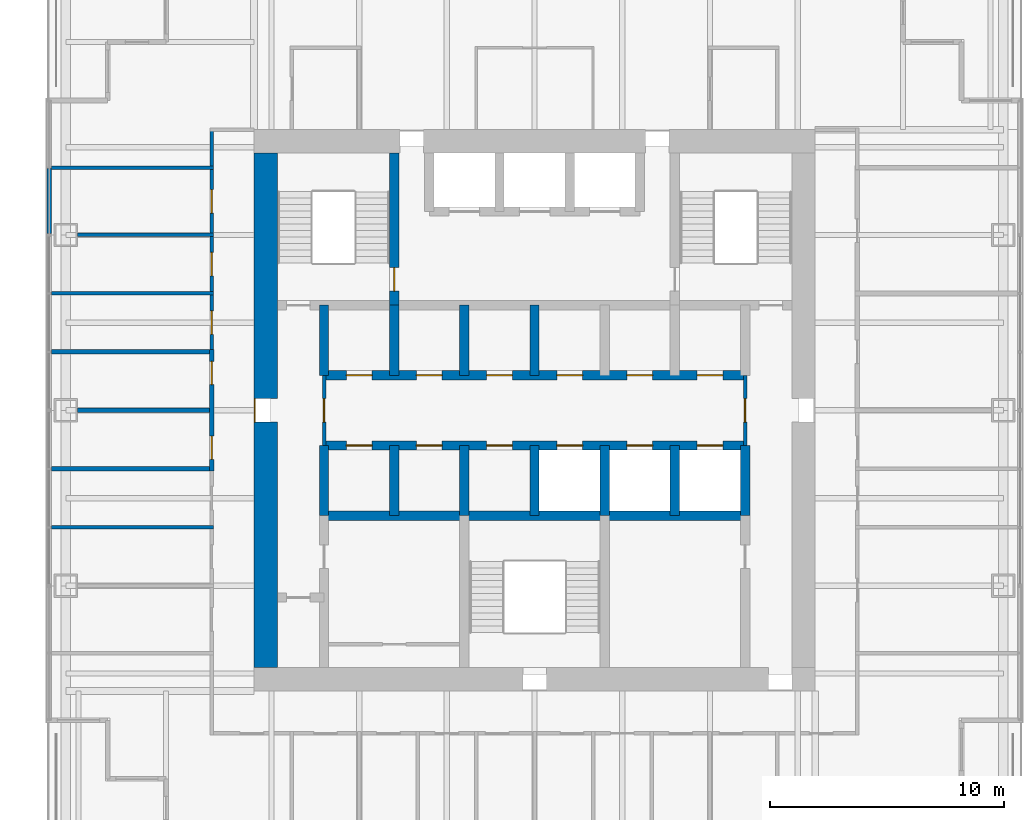
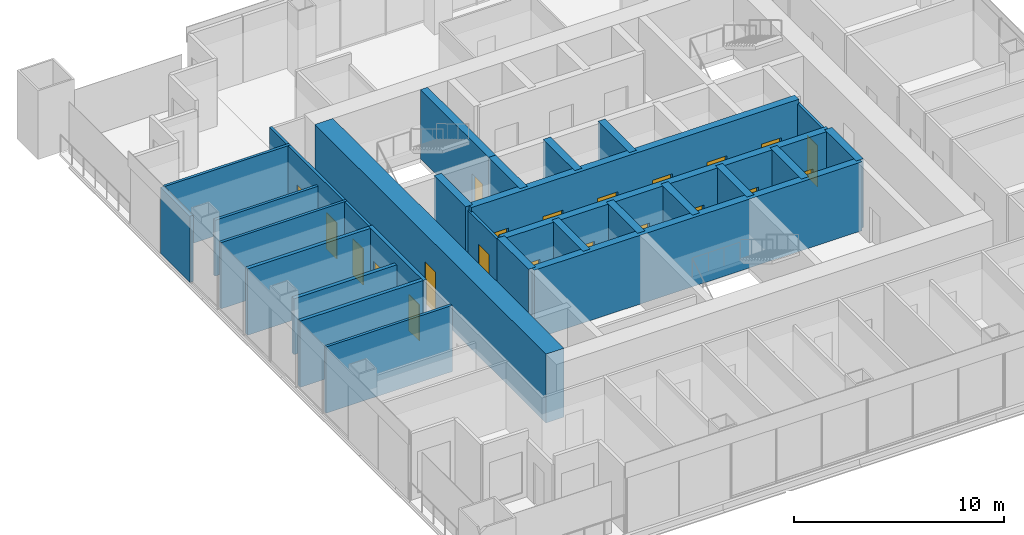
# One storey, part 10 of 14: 28 walls, 21 doors, 21 openings.
"""IFC4 building model written with IfcOpenShell, lengths in metres."""

import ifcopenshell
import ifcopenshell.guid

model = None  # the IFC model being written
_history = None  # IfcOwnerHistory: only IFC2X3 demands one
_inside = {}  # id of a spatial element -> (the spatial element, [elements in it])
_under = {}  # id of a project, library or spatial element -> (it, [spatial elements below it])
_declared = {}  # id of a project -> (the project, [libraries it declares])
_typed = {}  # id of a type object -> (the type object, [elements of that type])
_made_of = {}  # id of a material, layer set ... -> (it, [elements and type objects made of it])


def new_model(schema):
    """Start an empty IFC model of exactly this schema.

    Asked for "IFC4X3", IfcOpenShell would pick the latest addendum, in which some entities
    have other attributes; the version numbers below select the first issue.
    IFC2X3 requires an IfcOwnerHistory on every rooted entity: one is made here for all.
    """
    global model, _history
    if schema == "IFC4X3":
        model = ifcopenshell.file(schema_version=(4, 3, 0, 0))
    else:
        model = ifcopenshell.file(schema=schema)
    _inside.clear()
    _under.clear()
    _declared.clear()
    _typed.clear()
    _made_of.clear()
    _history = None
    if model.schema == "IFC2X3":
        org = make("IfcOrganization", Name="unknown")
        user = make(
            "IfcPersonAndOrganization",
            ThePerson=make("IfcPerson", FamilyName="unknown"),
            TheOrganization=org,
        )
        app = make(
            "IfcApplication",
            ApplicationDeveloper=org,
            Version="unknown",
            ApplicationFullName="unknown",
            ApplicationIdentifier="unknown",
        )
        _history = make(
            "IfcOwnerHistory",
            OwningUser=user,
            OwningApplication=app,
            ChangeAction="ADDED",
            CreationDate=0,
        )
    return model


def make(cls, **values):
    """One entity of the class cls with the attributes given. An attribute that is None is left unset."""
    return model.create_entity(
        cls, **{name: value for name, value in values.items() if value is not None}
    )


def rooted(cls, **values):
    """An entity with a GlobalId (a new one), such as an element, a storey or a relation."""
    return make(cls, GlobalId=ifcopenshell.guid.new(), OwnerHistory=_history, **values)


def si_unit(unit_type, name, prefix=None):
    """IfcSIUnit, for example si_unit("LENGTHUNIT", "METRE", prefix="MILLI")."""
    return make("IfcSIUnit", UnitType=unit_type, Prefix=prefix, Name=name)


def assignment(units):
    """IfcUnitAssignment: the units of a project."""
    return None if units is None else make("IfcUnitAssignment", Units=units)


def point(xyz):
    """IfcCartesianPoint."""
    return None if xyz is None else make("IfcCartesianPoint", Coordinates=xyz)


def direction(xyz):
    """IfcDirection."""
    return None if xyz is None else make("IfcDirection", DirectionRatios=xyz)


def frame(location, z_axis=None, x_axis=None):
    """IfcAxis2Placement3D, a coordinate frame: its origin and axes. An axis left out is left unset."""
    return make(
        "IfcAxis2Placement3D",
        Location=point(location),
        Axis=direction(z_axis),
        RefDirection=direction(x_axis),
    )


def frame_2d(location, x_axis=None):
    """IfcAxis2Placement2D, a coordinate frame in the plane: its origin and x axis."""
    return make(
        "IfcAxis2Placement2D", Location=point(location), RefDirection=direction(x_axis)
    )


def origin():
    """The frame at (0, 0, 0) with its axes left unset."""
    return frame((0.0, 0.0, 0.0))


def place(relative_to, where):
    """IfcLocalPlacement: puts the frame where relative to a parent placement (None: the world)."""
    return make(
        "IfcLocalPlacement", PlacementRelTo=relative_to, RelativePlacement=where
    )


def context(
    kind, dimensions, precision=None, world=None, true_north=None, identifier=None
):
    """IfcGeometricRepresentationContext, for example the 3D "Model" context."""
    return make(
        "IfcGeometricRepresentationContext",
        ContextIdentifier=identifier,
        ContextType=kind,
        CoordinateSpaceDimension=dimensions,
        Precision=precision,
        WorldCoordinateSystem=world,
        TrueNorth=true_north,
    )


def subcontext(parent, identifier, kind, view, scale=None):
    """IfcGeometricRepresentationSubContext, for example "Body" below "Model"."""
    return make(
        "IfcGeometricRepresentationSubContext",
        ContextIdentifier=identifier,
        ContextType=kind,
        ParentContext=parent,
        TargetScale=scale,
        TargetView=view,
    )


def project(units=None, contexts=None):
    """IfcProject with its units and contexts."""
    return rooted(
        "IfcProject",
        Name="project",
        RepresentationContexts=contexts,
        UnitsInContext=assignment(units),
    )


def spatial(cls, under=None, at=None, **own):
    """A site, building, storey or space (cls), placed at a placement, below another one or the project."""
    s = rooted(cls, ObjectPlacement=at, **own)
    if under is not None:
        _under.setdefault(under.id(), (under, []))[1].append(s)
    return s


def profile(cls, at=None, kind="AREA", **sizes):
    """A parametric profile (cls). Its sizes go by their IFC names, for example OverallWidth=200.0."""
    return make(cls, ProfileType=kind, Position=at, **sizes)


def rectangle(**sizes):
    """IfcRectangleProfileDef."""
    return profile("IfcRectangleProfileDef", **sizes)


def extrude(swept, where, along, depth):
    """IfcExtrudedAreaSolid: the profile swept, set in the frame where, extruded along a direction by depth."""
    return make(
        "IfcExtrudedAreaSolid",
        SweptArea=swept,
        Position=where,
        ExtrudedDirection=direction(along),
        Depth=depth,
    )


def shape(context_of_items, identifier, shape_type, items):
    """IfcShapeRepresentation: the items that make up one representation, for example the "Body"."""
    return make(
        "IfcShapeRepresentation",
        ContextOfItems=context_of_items,
        RepresentationIdentifier=identifier,
        RepresentationType=shape_type,
        Items=items,
    )


def material(Name=None, Category=None):
    """IfcMaterial."""
    return make("IfcMaterial", Name=Name, Category=Category)


def layer(
    of_material, thickness, ventilated=None, Name=None, Category=None, Priority=None
):
    """IfcMaterialLayer: one layer of a wall or slab, of a material (None: an air gap)."""
    return make(
        "IfcMaterialLayer",
        Material=of_material,
        LayerThickness=thickness,
        IsVentilated=ventilated,
        Name=Name,
        Category=Category,
        Priority=Priority,
    )


def layer_set(layers, Name=None):
    """IfcMaterialLayerSet."""
    return make("IfcMaterialLayerSet", MaterialLayers=layers, LayerSetName=Name)


def made_of(thing, what):
    """Note that an element or type object is made of a material, layer set ...; save() writes the relation."""
    if what is not None:
        _made_of.setdefault(what.id(), (what, []))[1].append(thing)
    return thing


def type_object(cls, material=None, **own):
    """A type object (cls), such as IfcWallType, which elements share."""
    return made_of(rooted(cls, **own), material)


def element(
    cls,
    number,
    at=None,
    inside=None,
    cuts=None,
    type_object=None,
    material=None,
    context=None,
    identifier="Body",
    shape_type=None,
    held_by="IfcProductDefinitionShape",
    body=None,
    shapes=None,
    **own,
):
    """One element of the class cls, such as IfcWall. Its Tag is "e" and its number.

    at: its placement. inside: the storey or other place that contains it. cuts: it is an
    opening in that element (IfcRelVoidsElement). A single representation is given by context,
    identifier, shape_type and body (its items); several are given by shapes. held_by: the class
    of the entity that holds the representations. save() writes the other relations.
    """
    e = rooted(cls, Tag="e%d" % number, ObjectPlacement=at, **own)
    if body is not None:
        shapes = [shape(context, identifier, shape_type, body)]
    if shapes is not None:
        e.Representation = make(held_by, Representations=shapes)
    if inside is not None:
        _inside.setdefault(inside.id(), (inside, []))[1].append(e)
    if cuts is not None:
        rooted(
            "IfcRelVoidsElement", RelatingBuildingElement=cuts, RelatedOpeningElement=e
        )
    if type_object is not None:
        _typed.setdefault(type_object.id(), (type_object, []))[1].append(e)
    return made_of(e, material)


def fill(opening, filler):
    """IfcRelFillsElement: the door or window that sits in an opening."""
    return rooted(
        "IfcRelFillsElement",
        RelatingOpeningElement=opening,
        RelatedBuildingElement=filler,
    )


def aggregate(whole, parts):
    """IfcRelAggregates: a whole, such as a stair, and the parts it consists of."""
    return rooted("IfcRelAggregates", RelatingObject=whole, RelatedObjects=parts)


def save(model, path):
    """Write the relations noted so far, then the file.

    IfcRelAggregates (storeys below a building ...), IfcRelContainedInSpatialStructure (elements
    in a storey), IfcRelDefinesByType, IfcRelAssociatesMaterial and IfcRelDeclares: one each for
    every whole, place, type object, material and project.
    """
    for whole, parts in _under.values():
        aggregate(whole, parts)
    for where, things in _inside.values():
        rooted(
            "IfcRelContainedInSpatialStructure",
            RelatedElements=things,
            RelatingStructure=where,
        )
    for kind, things in _typed.values():
        rooted("IfcRelDefinesByType", RelatedObjects=things, RelatingType=kind)
    for what, things in _made_of.values():
        rooted("IfcRelAssociatesMaterial", RelatedObjects=things, RelatingMaterial=what)
    for by, libraries in _declared.values():
        rooted("IfcRelDeclares", RelatingContext=by, RelatedDefinitions=libraries)
    model.write(path)


model = new_model("IFC4")

# Units and contexts
model_context = context("Model", 3, precision=1e-05, world=origin(), true_north=direction((0.0, 1.0)))
body_context = subcontext(model_context, "Body", "Model", "MODEL_VIEW")
ifc_project = project(units=[si_unit("LENGTHUNIT", "METRE"), si_unit("AREAUNIT", "SQUARE_METRE"), si_unit("VOLUMEUNIT", "CUBIC_METRE"), si_unit("PLANEANGLEUNIT", "RADIAN"), si_unit("MASSUNIT", "GRAM", prefix="KILO")], contexts=[model_context])

# Site, building, storey
site_placement = place(None, origin())
site = spatial("IfcSite", under=ifc_project, at=site_placement, CompositionType="ELEMENT")
building_placement = place(site_placement, origin())
building = spatial("IfcBuilding", under=site, at=building_placement, Name="Tarangal Relay Tower", CompositionType="ELEMENT")
storey_placement = place(building_placement, frame((0.0, 0.0, 303.89990234375)))
storey = spatial("IfcBuildingStorey", under=building, at=storey_placement, Name="L67", CompositionType="ELEMENT", Elevation=303.89990234375)

# Walls
ifc_material_1 = material(Name="Two layers gypsum board each side on twin steel studs, mineral wool", Category="steel")
ifc_layer_1 = layer(ifc_material_1, 0.199951171875)
ifc_layer_set_1 = layer_set([ifc_layer_1], Name="Acoustic partition 200")
wall_type_1 = type_object("IfcWallType", Name="Acoustic partition 200", PredefinedType="PARTITIONING", material=ifc_layer_set_1)
wall_1_placement = place(storey_placement, frame((-20.64990234375, -2.5, 0.0), z_axis=(0.0, 0.0, 1.0), x_axis=(1.0, 0.0, 0.0)))
element("IfcWall", 1, at=wall_1_placement, inside=storey, type_object=wall_type_1, Name="Partition PT2 L67", PredefinedType="PARTITIONING", context=body_context, shape_type="SweptSolid", body=[
    extrude(rectangle(XDim=6.949951171875, YDim=0.199951171875, at=frame_2d((3.47509765625, 0.0))), origin(), (0.0, 0.0, 1.0), 3.85009765625),
])
wall_2_placement = place(storey_placement, frame((-19.5400390625, 0.0, 0.0), z_axis=(0.0, 0.0, 1.0), x_axis=(1.0, 0.0, 0.0)))
element("IfcWall", 2, at=wall_2_placement, inside=storey, type_object=wall_type_1, Name="Partition PT2 L67", PredefinedType="PARTITIONING", context=body_context, shape_type="SweptSolid", body=[
    extrude(rectangle(XDim=5.840087890625, YDim=0.199951171875, at=frame_2d((2.919921875, 0.0))), origin(), (0.0, 0.0, 1.0), 3.2431640625),
])
wall_3_placement = place(storey_placement, frame((-20.64990234375, 2.5, 0.0), z_axis=(0.0, 0.0, 1.0), x_axis=(1.0, 0.0, 0.0)))
element("IfcWall", 3, at=wall_3_placement, inside=storey, type_object=wall_type_1, Name="Partition PT2 L67", PredefinedType="PARTITIONING", context=body_context, shape_type="SweptSolid", body=[
    extrude(rectangle(XDim=6.949951171875, YDim=0.199951171875, at=frame_2d((3.47509765625, 0.0))), origin(), (0.0, 0.0, 1.0), 3.85009765625),
])

# Wall, openings, doors
wall_4_placement = place(storey_placement, frame((-13.800048828125, -2.60009765625, 0.0), z_axis=(0.0, 0.0, 1.0), x_axis=(0.0, 1.0, 0.0)))
wall_4 = element("IfcWall", 4, at=wall_4_placement, inside=storey, type_object=wall_type_1, Name="Partition PT2 L67", PredefinedType="PARTITIONING", context=body_context, shape_type="SweptSolid", body=[
    extrude(rectangle(XDim=5.2001953125, YDim=0.199951171875, at=frame_2d((2.60009765625, 0.0))), origin(), (0.0, 0.0, 1.0), 3.85009765625),
])
opening_1_placement = place(wall_4_placement, frame((0.5, 0.0, 0.0)))
opening_1 = element("IfcOpeningElement", 5, at=opening_1_placement, cuts=wall_4, Name="Opening D2", PredefinedType="OPENING", context=body_context, shape_type="SweptSolid", body=[
    extrude(rectangle(XDim=1.0, YDim=2.10009765625, at=frame_2d((0.5, 1.050048828125))), frame((0.0, 0.10986328125, 0.0), z_axis=(0.0, -1.0, 0.0), x_axis=(1.0, 0.0, 0.0)), (0.0, 0.0, 1.0), 0.219970703125),
])
opening_2_placement = place(wall_4_placement, frame((3.699951171875, 0.0, 0.0)))
opening_2 = element("IfcOpeningElement", 6, at=opening_2_placement, cuts=wall_4, Name="Opening D2", PredefinedType="OPENING", context=body_context, shape_type="SweptSolid", body=[
    extrude(rectangle(XDim=1.0, YDim=2.10009765625, at=frame_2d((0.5, 1.050048828125))), frame((0.0, 0.10986328125, 0.0), z_axis=(0.0, -1.0, 0.0), x_axis=(1.0, 0.0, 0.0)), (0.0, 0.0, 1.0), 0.219970703125),
])
ifc_material_2 = material(Name="Hardwood door", Category="wood")
door_type_1 = type_object("IfcDoorType", Name="Door 1000 x 2100", OperationType="SINGLE_SWING_LEFT", PredefinedType="DOOR", material=ifc_material_2)
door_1_placement = place(opening_1_placement, origin())
door_1 = element("IfcDoor", 7, at=door_1_placement, inside=storey, type_object=door_type_1, Name="Door D2 to wellness room L67-21", OperationType="SINGLE_SWING_LEFT", OverallHeight=2.10009765625, OverallWidth=1.0, PredefinedType="DOOR", context=body_context, shape_type="SweptSolid", body=[
    extrude(rectangle(XDim=1.0, YDim=2.10009765625, at=frame_2d((0.5, 1.050048828125))), frame((0.0, 0.02490234375, 0.0), z_axis=(0.0, -1.0, 0.0), x_axis=(1.0, 0.0, 0.0)), (0.0, 0.0, 1.0), 0.050048828125),
])
fill(opening_1, door_1)
door_2_placement = place(opening_2_placement, origin())
door_2 = element("IfcDoor", 8, at=door_2_placement, inside=storey, type_object=door_type_1, Name="Door D2 to quiet room L67-22", OperationType="SINGLE_SWING_LEFT", OverallHeight=2.10009765625, OverallWidth=1.0, PredefinedType="DOOR", context=body_context, shape_type="SweptSolid", body=[
    extrude(rectangle(XDim=1.0, YDim=2.10009765625, at=frame_2d((0.5, 1.050048828125))), frame((0.0, 0.02490234375, 0.0), z_axis=(0.0, -1.0, 0.0), x_axis=(1.0, 0.0, 0.0)), (0.0, 0.0, 1.0), 0.050048828125),
])
fill(opening_2, door_2)

ifc_material_3 = material(Name="Concrete fc' 60 MPa", Category="concrete")
ifc_layer_2 = layer(ifc_material_3, 0.39990234375)
ifc_layer_set_2 = layer_set([ifc_layer_2], Name="Core inner wall 400")
wall_type_2 = type_object("IfcWallType", Name="Core inner wall 400", PredefinedType="SHEAR", material=ifc_layer_set_2)
wall_5_placement = place(storey_placement, frame((-9.0, 1.5, 0.0), z_axis=(0.0, 0.0, 1.0), x_axis=(1.0, 0.0, 0.0)))
wall_5 = element("IfcWall", 9, at=wall_5_placement, inside=storey, type_object=wall_type_2, Name="Core wall Y15 L67", PredefinedType="SHEAR", context=body_context, shape_type="SweptSolid", body=[
    extrude(rectangle(XDim=18.0, YDim=0.39990234375, at=frame_2d((9.0, 0.0))), origin(), (0.0, 0.0, 1.0), 4.0),
])
opening_3_placement = place(wall_5_placement, frame((0.949951171875, 0.0, 0.0)))
opening_3 = element("IfcOpeningElement", 10, at=opening_3_placement, cuts=wall_5, Name="Opening D4", PredefinedType="OPENING", context=body_context, shape_type="SweptSolid", body=[
    extrude(rectangle(XDim=1.10009765625, YDim=2.10009765625, at=frame_2d((0.550048828125, 1.050048828125))), frame((0.0, 0.2099609375, 0.0), z_axis=(0.0, -1.0, 0.0), x_axis=(1.0, 0.0, 0.0)), (0.0, 0.0, 1.0), 0.419921875),
])
opening_4_placement = place(wall_5_placement, frame((3.949951171875, 0.0, 0.0)))
opening_4 = element("IfcOpeningElement", 11, at=opening_4_placement, cuts=wall_5, Name="Opening D4", PredefinedType="OPENING", context=body_context, shape_type="SweptSolid", body=[
    extrude(rectangle(XDim=1.10009765625, YDim=2.10009765625, at=frame_2d((0.550048828125, 1.050048828125))), frame((0.0, 0.2099609375, 0.0), z_axis=(0.0, -1.0, 0.0), x_axis=(1.0, 0.0, 0.0)), (0.0, 0.0, 1.0), 0.419921875),
])
opening_5_placement = place(wall_5_placement, frame((6.949951171875, 0.0, 0.0)))
opening_5 = element("IfcOpeningElement", 12, at=opening_5_placement, cuts=wall_5, Name="Opening D4", PredefinedType="OPENING", context=body_context, shape_type="SweptSolid", body=[
    extrude(rectangle(XDim=1.10009765625, YDim=2.10009765625, at=frame_2d((0.550048828125, 1.050048828125))), frame((0.0, 0.2099609375, 0.0), z_axis=(0.0, -1.0, 0.0), x_axis=(1.0, 0.0, 0.0)), (0.0, 0.0, 1.0), 0.419921875),
])
opening_6_placement = place(wall_5_placement, frame((9.949951171875, 0.0, 0.0)))
opening_6 = element("IfcOpeningElement", 13, at=opening_6_placement, cuts=wall_5, Name="Opening D4", PredefinedType="OPENING", context=body_context, shape_type="SweptSolid", body=[
    extrude(rectangle(XDim=1.10009765625, YDim=2.10009765625, at=frame_2d((0.550048828125, 1.050048828125))), frame((0.0, 0.2099609375, 0.0), z_axis=(0.0, -1.0, 0.0), x_axis=(1.0, 0.0, 0.0)), (0.0, 0.0, 1.0), 0.419921875),
])
opening_7_placement = place(wall_5_placement, frame((12.949951171875, 0.0, 0.0)))
opening_7 = element("IfcOpeningElement", 14, at=opening_7_placement, cuts=wall_5, Name="Opening D4", PredefinedType="OPENING", context=body_context, shape_type="SweptSolid", body=[
    extrude(rectangle(XDim=1.10009765625, YDim=2.10009765625, at=frame_2d((0.550048828125, 1.050048828125))), frame((0.0, 0.2099609375, 0.0), z_axis=(0.0, -1.0, 0.0), x_axis=(1.0, 0.0, 0.0)), (0.0, 0.0, 1.0), 0.419921875),
])
opening_8_placement = place(wall_5_placement, frame((15.949951171875, 0.0, 0.0)))
opening_8 = element("IfcOpeningElement", 15, at=opening_8_placement, cuts=wall_5, Name="Opening D4", PredefinedType="OPENING", context=body_context, shape_type="SweptSolid", body=[
    extrude(rectangle(XDim=1.10009765625, YDim=2.10009765625, at=frame_2d((0.550048828125, 1.050048828125))), frame((0.0, 0.2099609375, 0.0), z_axis=(0.0, -1.0, 0.0), x_axis=(1.0, 0.0, 0.0)), (0.0, 0.0, 1.0), 0.419921875),
])
ifc_material_4 = material(Name="Steel door with hardwood frame", Category="steel")
door_type_2 = type_object("IfcDoorType", Name="Core room door 1100 x 2100", OperationType="SINGLE_SWING_RIGHT", PredefinedType="DOOR", material=ifc_material_4)
door_3_placement = place(opening_3_placement, origin())
door_3 = element("IfcDoor", 16, at=door_3_placement, inside=storey, type_object=door_type_2, Name="Door D4 to it room L67-D1", OperationType="SINGLE_SWING_RIGHT", OverallHeight=2.10009765625, OverallWidth=1.10009765625, PredefinedType="DOOR", context=body_context, shape_type="SweptSolid", body=[
    extrude(rectangle(XDim=1.10009765625, YDim=2.10009765625, at=frame_2d((0.550048828125, 1.050048828125))), frame((0.0, 0.02490234375, 0.0), z_axis=(0.0, -1.0, 0.0), x_axis=(1.0, 0.0, 0.0)), (0.0, 0.0, 1.0), 0.050048828125),
])
fill(opening_3, door_3)
door_4_placement = place(opening_4_placement, origin())
door_4 = element("IfcDoor", 17, at=door_4_placement, inside=storey, type_object=door_type_2, Name="Door D4 to cleaner's store L67-D2", OperationType="SINGLE_SWING_RIGHT", OverallHeight=2.10009765625, OverallWidth=1.10009765625, PredefinedType="DOOR", context=body_context, shape_type="SweptSolid", body=[
    extrude(rectangle(XDim=1.10009765625, YDim=2.10009765625, at=frame_2d((0.550048828125, 1.050048828125))), frame((0.0, 0.02490234375, 0.0), z_axis=(0.0, -1.0, 0.0), x_axis=(1.0, 0.0, 0.0)), (0.0, 0.0, 1.0), 0.050048828125),
])
fill(opening_4, door_4)
door_5_placement = place(opening_5_placement, origin())
door_5 = element("IfcDoor", 18, at=door_5_placement, inside=storey, type_object=door_type_2, Name="Door D4 to staff wc L67-D3", OperationType="SINGLE_SWING_RIGHT", OverallHeight=2.10009765625, OverallWidth=1.10009765625, PredefinedType="DOOR", context=body_context, shape_type="SweptSolid", body=[
    extrude(rectangle(XDim=1.10009765625, YDim=2.10009765625, at=frame_2d((0.550048828125, 1.050048828125))), frame((0.0, 0.02490234375, 0.0), z_axis=(0.0, -1.0, 0.0), x_axis=(1.0, 0.0, 0.0)), (0.0, 0.0, 1.0), 0.050048828125),
])
fill(opening_5, door_5)
door_6_placement = place(opening_6_placement, origin())
door_6 = element("IfcDoor", 19, at=door_6_placement, inside=storey, type_object=door_type_2, Name="Door D4 to staff pantry L67-T1", OperationType="SINGLE_SWING_RIGHT", OverallHeight=2.10009765625, OverallWidth=1.10009765625, PredefinedType="DOOR", context=body_context, shape_type="SweptSolid", body=[
    extrude(rectangle(XDim=1.10009765625, YDim=2.10009765625, at=frame_2d((0.550048828125, 1.050048828125))), frame((0.0, 0.02490234375, 0.0), z_axis=(0.0, -1.0, 0.0), x_axis=(1.0, 0.0, 0.0)), (0.0, 0.0, 1.0), 0.050048828125),
])
fill(opening_6, door_6)
door_7_placement = place(opening_7_placement, origin())
door_7 = element("IfcDoor", 20, at=door_7_placement, inside=storey, type_object=door_type_2, Name="Door D4 to it room L67-T2", OperationType="SINGLE_SWING_RIGHT", OverallHeight=2.10009765625, OverallWidth=1.10009765625, PredefinedType="DOOR", context=body_context, shape_type="SweptSolid", body=[
    extrude(rectangle(XDim=1.10009765625, YDim=2.10009765625, at=frame_2d((0.550048828125, 1.050048828125))), frame((0.0, 0.02490234375, 0.0), z_axis=(0.0, -1.0, 0.0), x_axis=(1.0, 0.0, 0.0)), (0.0, 0.0, 1.0), 0.050048828125),
])
fill(opening_7, door_7)
door_8_placement = place(opening_8_placement, origin())
door_8 = element("IfcDoor", 21, at=door_8_placement, inside=storey, type_object=door_type_2, Name="Door D4 to cleaner's store L67-T3", OperationType="SINGLE_SWING_RIGHT", OverallHeight=2.10009765625, OverallWidth=1.10009765625, PredefinedType="DOOR", context=body_context, shape_type="SweptSolid", body=[
    extrude(rectangle(XDim=1.10009765625, YDim=2.10009765625, at=frame_2d((0.550048828125, 1.050048828125))), frame((0.0, 0.02490234375, 0.0), z_axis=(0.0, -1.0, 0.0), x_axis=(1.0, 0.0, 0.0)), (0.0, 0.0, 1.0), 0.050048828125),
])
fill(opening_8, door_8)

wall_6_placement = place(storey_placement, frame((-9.0, -1.5, 0.0), z_axis=(0.0, 0.0, 1.0), x_axis=(1.0, 0.0, 0.0)))
wall_6 = element("IfcWall", 22, at=wall_6_placement, inside=storey, type_object=wall_type_2, Name="Core wall YM15 L67", PredefinedType="SHEAR", context=body_context, shape_type="SweptSolid", body=[
    extrude(rectangle(XDim=18.0, YDim=0.39990234375, at=frame_2d((9.0, 0.0))), origin(), (0.0, 0.0, 1.0), 4.0),
])
opening_9_placement = place(wall_6_placement, frame((9.949951171875, 0.0, 0.0)))
opening_9 = element("IfcOpeningElement", 23, at=opening_9_placement, cuts=wall_6, Name="Opening LD1", PredefinedType="OPENING", context=body_context, shape_type="SweptSolid", body=[
    extrude(rectangle(XDim=1.10009765625, YDim=2.10009765625, at=frame_2d((0.550048828125, 1.050048828125))), frame((0.0, 0.2099609375, 0.0), z_axis=(0.0, -1.0, 0.0), x_axis=(1.0, 0.0, 0.0)), (0.0, 0.0, 1.0), 0.419921875),
])
opening_10_placement = place(wall_6_placement, frame((12.949951171875, 0.0, 0.0)))
opening_10 = element("IfcOpeningElement", 24, at=opening_10_placement, cuts=wall_6, Name="Opening LD1", PredefinedType="OPENING", context=body_context, shape_type="SweptSolid", body=[
    extrude(rectangle(XDim=1.10009765625, YDim=2.10009765625, at=frame_2d((0.550048828125, 1.050048828125))), frame((0.0, 0.2099609375, 0.0), z_axis=(0.0, -1.0, 0.0), x_axis=(1.0, 0.0, 0.0)), (0.0, 0.0, 1.0), 0.419921875),
])
opening_11_placement = place(wall_6_placement, frame((15.949951171875, 0.0, 0.0)))
opening_11 = element("IfcOpeningElement", 25, at=opening_11_placement, cuts=wall_6, Name="Opening LD1", PredefinedType="OPENING", context=body_context, shape_type="SweptSolid", body=[
    extrude(rectangle(XDim=1.10009765625, YDim=2.10009765625, at=frame_2d((0.550048828125, 1.050048828125))), frame((0.0, 0.2099609375, 0.0), z_axis=(0.0, -1.0, 0.0), x_axis=(1.0, 0.0, 0.0)), (0.0, 0.0, 1.0), 0.419921875),
])
opening_12_placement = place(wall_6_placement, frame((0.949951171875, 0.0, 0.0)))
opening_12 = element("IfcOpeningElement", 26, at=opening_12_placement, cuts=wall_6, Name="Opening D4", PredefinedType="OPENING", context=body_context, shape_type="SweptSolid", body=[
    extrude(rectangle(XDim=1.10009765625, YDim=2.10009765625, at=frame_2d((0.550048828125, 1.050048828125))), frame((0.0, 0.2099609375, 0.0), z_axis=(0.0, -1.0, 0.0), x_axis=(1.0, 0.0, 0.0)), (0.0, 0.0, 1.0), 0.419921875),
])
opening_13_placement = place(wall_6_placement, frame((3.949951171875, 0.0, 0.0)))
opening_13 = element("IfcOpeningElement", 27, at=opening_13_placement, cuts=wall_6, Name="Opening D4", PredefinedType="OPENING", context=body_context, shape_type="SweptSolid", body=[
    extrude(rectangle(XDim=1.10009765625, YDim=2.10009765625, at=frame_2d((0.550048828125, 1.050048828125))), frame((0.0, 0.2099609375, 0.0), z_axis=(0.0, -1.0, 0.0), x_axis=(1.0, 0.0, 0.0)), (0.0, 0.0, 1.0), 0.419921875),
])
opening_14_placement = place(wall_6_placement, frame((6.949951171875, 0.0, 0.0)))
opening_14 = element("IfcOpeningElement", 28, at=opening_14_placement, cuts=wall_6, Name="Opening D4", PredefinedType="OPENING", context=body_context, shape_type="SweptSolid", body=[
    extrude(rectangle(XDim=1.10009765625, YDim=2.10009765625, at=frame_2d((0.550048828125, 1.050048828125))), frame((0.0, 0.2099609375, 0.0), z_axis=(0.0, -1.0, 0.0), x_axis=(1.0, 0.0, 0.0)), (0.0, 0.0, 1.0), 0.419921875),
])
door_9_placement = place(opening_12_placement, origin())
door_9 = element("IfcDoor", 29, at=door_9_placement, inside=storey, type_object=door_type_2, Name="Door D4 to staff wc L67-S1", OperationType="SINGLE_SWING_RIGHT", OverallHeight=2.10009765625, OverallWidth=1.10009765625, PredefinedType="DOOR", context=body_context, shape_type="SweptSolid", body=[
    extrude(rectangle(XDim=1.10009765625, YDim=2.10009765625, at=frame_2d((0.550048828125, 1.050048828125))), frame((0.0, 0.02490234375, 0.0), z_axis=(0.0, -1.0, 0.0), x_axis=(1.0, 0.0, 0.0)), (0.0, 0.0, 1.0), 0.050048828125),
])
fill(opening_12, door_9)
door_10_placement = place(opening_13_placement, origin())
door_10 = element("IfcDoor", 30, at=door_10_placement, inside=storey, type_object=door_type_2, Name="Door D4 to staff pantry L67-S2", OperationType="SINGLE_SWING_RIGHT", OverallHeight=2.10009765625, OverallWidth=1.10009765625, PredefinedType="DOOR", context=body_context, shape_type="SweptSolid", body=[
    extrude(rectangle(XDim=1.10009765625, YDim=2.10009765625, at=frame_2d((0.550048828125, 1.050048828125))), frame((0.0, 0.02490234375, 0.0), z_axis=(0.0, -1.0, 0.0), x_axis=(1.0, 0.0, 0.0)), (0.0, 0.0, 1.0), 0.050048828125),
])
fill(opening_13, door_10)
door_11_placement = place(opening_14_placement, origin())
door_11 = element("IfcDoor", 31, at=door_11_placement, inside=storey, type_object=door_type_2, Name="Door D4 to it room L67-S3", OperationType="SINGLE_SWING_RIGHT", OverallHeight=2.10009765625, OverallWidth=1.10009765625, PredefinedType="DOOR", context=body_context, shape_type="SweptSolid", body=[
    extrude(rectangle(XDim=1.10009765625, YDim=2.10009765625, at=frame_2d((0.550048828125, 1.050048828125))), frame((0.0, 0.02490234375, 0.0), z_axis=(0.0, -1.0, 0.0), x_axis=(1.0, 0.0, 0.0)), (0.0, 0.0, 1.0), 0.050048828125),
])
fill(opening_14, door_11)
door_type_3 = type_object("IfcDoorType", Name="Lift landing door 1100 x 2100", OperationType="SLIDING_TO_LEFT", PredefinedType="DOOR", material=ifc_material_4)
door_12_placement = place(opening_9_placement, origin())
door_12 = element("IfcDoor", 32, at=door_12_placement, inside=storey, type_object=door_type_3, Name="Lift OH1 landing door L67", OperationType="SLIDING_TO_LEFT", OverallHeight=2.10009765625, OverallWidth=1.10009765625, PredefinedType="DOOR", context=body_context, shape_type="SweptSolid", body=[
    extrude(rectangle(XDim=1.10009765625, YDim=2.10009765625, at=frame_2d((0.550048828125, 1.050048828125))), frame((0.0, 0.02490234375, 0.0), z_axis=(0.0, -1.0, 0.0), x_axis=(1.0, 0.0, 0.0)), (0.0, 0.0, 1.0), 0.050048828125),
])
fill(opening_9, door_12)
door_13_placement = place(opening_10_placement, origin())
door_13 = element("IfcDoor", 33, at=door_13_placement, inside=storey, type_object=door_type_3, Name="Lift OH2 landing door L67", OperationType="SLIDING_TO_LEFT", OverallHeight=2.10009765625, OverallWidth=1.10009765625, PredefinedType="DOOR", context=body_context, shape_type="SweptSolid", body=[
    extrude(rectangle(XDim=1.10009765625, YDim=2.10009765625, at=frame_2d((0.550048828125, 1.050048828125))), frame((0.0, 0.02490234375, 0.0), z_axis=(0.0, -1.0, 0.0), x_axis=(1.0, 0.0, 0.0)), (0.0, 0.0, 1.0), 0.050048828125),
])
fill(opening_10, door_13)
door_14_placement = place(opening_11_placement, origin())
door_14 = element("IfcDoor", 34, at=door_14_placement, inside=storey, type_object=door_type_3, Name="Lift OH3 landing door L67", OperationType="SLIDING_TO_LEFT", OverallHeight=2.10009765625, OverallWidth=1.10009765625, PredefinedType="DOOR", context=body_context, shape_type="SweptSolid", body=[
    extrude(rectangle(XDim=1.10009765625, YDim=2.10009765625, at=frame_2d((0.550048828125, 1.050048828125))), frame((0.0, 0.02490234375, 0.0), z_axis=(0.0, -1.0, 0.0), x_axis=(1.0, 0.0, 0.0)), (0.0, 0.0, 1.0), 0.050048828125),
])
fill(opening_11, door_14)

# Walls
wall_7_placement = place(storey_placement, frame((-9.0, -4.5, 0.0), z_axis=(0.0, 0.0, 1.0), x_axis=(1.0, 0.0, 0.0)))
element("IfcWall", 35, at=wall_7_placement, inside=storey, type_object=wall_type_2, Name="Core wall YM45 L67", PredefinedType="SHEAR", context=body_context, shape_type="SweptSolid", body=[
    extrude(rectangle(XDim=18.0, YDim=0.39990234375, at=frame_2d((9.0, 0.0))), origin(), (0.0, 0.0, 1.0), 4.0),
])
for number, where, z_axis, x_axis, name in (
    (36, (-9.0, 1.5, 0.0), (0.0, 0.0, 1.0), (0.0, 1.0, 0.0), "Core wall XM9N L67"),
    (37, (-9.0, -4.5, 0.0), (0.0, 0.0, 1.0), (0.0, 1.0, 0.0), "Core wall XM9S L67"),
    (38, (9.0, -4.5, 0.0), (0.0, 0.0, 1.0), (0.0, 1.0, 0.0), "Core wall X9S L67"),
    (39, (-6.0, 1.5, 0.0), (0.0, 0.0, 1.0), (0.0, 1.0, 0.0), "Core wall XM6N L67"),
    (40, (-3.0, 1.5, 0.0), (0.0, 0.0, 1.0), (0.0, 1.0, 0.0), "Core wall XM3N L67"),
    (41, (0.0, 1.5, 0.0), (0.0, 0.0, 1.0), (0.0, 1.0, 0.0), "Core wall X0N L67"),
    (42, (-6.0, -4.5, 0.0), (0.0, 0.0, 1.0), (0.0, 1.0, 0.0), "Core wall XM6S L67"),
    (43, (-3.0, -4.5, 0.0), (0.0, 0.0, 1.0), (0.0, 1.0, 0.0), "Core wall XM3S L67"),
    (44, (0.0, -4.5, 0.0), (0.0, 0.0, 1.0), (0.0, 1.0, 0.0), "Core wall X0S L67"),
    (45, (3.0, -4.5, 0.0), (0.0, 0.0, 1.0), (0.0, 1.0, 0.0), "Core wall X3S L67"),
    (46, (6.0, -4.5, 0.0), (0.0, 0.0, 1.0), (0.0, 1.0, 0.0), "Core wall X6S L67"),
):
    element("IfcWall", number, at=place(storey_placement, frame(where, z_axis=z_axis, x_axis=x_axis)), inside=storey, type_object=wall_type_2, Name=name, PredefinedType="SHEAR", context=body_context, shape_type="SweptSolid", body=[
        extrude(rectangle(XDim=3.0, YDim=0.39990234375, at=frame_2d((1.5, 0.0))), origin(), (0.0, 0.0, 1.0), 4.0),
    ])

# Wall, opening, door
wall_8_placement = place(storey_placement, frame((-6.0, 4.5, 0.0), z_axis=(0.0, 0.0, 1.0), x_axis=(0.0, 1.0, 0.0)))
wall_8 = element("IfcWall", 47, at=wall_8_placement, inside=storey, type_object=wall_type_2, Name="Core wall XM6 L67", PredefinedType="SHEAR", context=body_context, shape_type="SweptSolid", body=[
    extrude(rectangle(XDim=6.5, YDim=0.39990234375, at=frame_2d((3.25, 0.0))), origin(), (0.0, 0.0, 1.0), 4.0),
])
opening_15_placement = place(wall_8_placement, frame((0.60009765625, 0.0, 0.0)))
opening_15 = element("IfcOpeningElement", 48, at=opening_15_placement, cuts=wall_8, Name="Opening FD1", PredefinedType="OPENING", context=body_context, shape_type="SweptSolid", body=[
    extrude(rectangle(XDim=1.0, YDim=2.10009765625, at=frame_2d((0.5, 1.050048828125))), frame((0.0, 0.2099609375, 0.0), z_axis=(0.0, -1.0, 0.0), x_axis=(1.0, 0.0, 0.0)), (0.0, 0.0, 1.0), 0.419921875),
])
door_type_4 = type_object("IfcDoorType", Name="Fire door 1000 x 2100", OperationType="SINGLE_SWING_LEFT", PredefinedType="DOOR", material=ifc_material_4)
door_15_placement = place(opening_15_placement, origin())
door_15 = element("IfcDoor", 49, at=door_15_placement, inside=storey, type_object=door_type_4, Name="Stair ST-A door from fire-fighting lobby L67", OperationType="SINGLE_SWING_LEFT", OverallHeight=2.10009765625, OverallWidth=1.0, PredefinedType="DOOR", context=body_context, shape_type="SweptSolid", body=[
    extrude(rectangle(XDim=1.0, YDim=2.10009765625, at=frame_2d((0.5, 1.050048828125))), frame((0.0, 0.02490234375, 0.0), z_axis=(0.0, -1.0, 0.0), x_axis=(1.0, 0.0, 0.0)), (0.0, 0.0, 1.0), 0.050048828125),
])
fill(opening_15, door_15)

ifc_layer_3 = layer(ifc_material_3, 1.0)
ifc_layer_set_3 = layer_set([ifc_layer_3], Name="Core wall 1000")
wall_type_3 = type_object("IfcWallType", Name="Core wall 1000", PredefinedType="SHEAR", material=ifc_layer_set_3)
wall_9_placement = place(storey_placement, frame((-11.5, -11.0, 0.0), z_axis=(0.0, 0.0, 1.0), x_axis=(0.0, 1.0, 0.0)))
wall_9 = element("IfcWall", 50, at=wall_9_placement, inside=storey, type_object=wall_type_3, Name="Core wall W L67", PredefinedType="SHEAR", context=body_context, shape_type="SweptSolid", body=[
    extrude(rectangle(XDim=22.0, YDim=1.0, at=frame_2d((11.0, 0.0))), origin(), (0.0, 0.0, 1.0), 4.0),
])
opening_16_placement = place(wall_9_placement, frame((10.5, 0.0, 0.0)))
opening_16 = element("IfcOpeningElement", 51, at=opening_16_placement, cuts=wall_9, Name="Opening FD3", PredefinedType="OPENING", context=body_context, shape_type="SweptSolid", body=[
    extrude(rectangle(XDim=1.0, YDim=2.39990234375, at=frame_2d((0.5, 1.199951171875))), frame((0.0, 0.510009765625, 0.0), z_axis=(0.0, -1.0, 0.0), x_axis=(1.0, 0.0, 0.0)), (0.0, 0.0, 1.0), 1.02001953125),
])
door_type_5 = type_object("IfcDoorType", Name="Fire door 1000 x 2400 core entry", OperationType="SINGLE_SWING_RIGHT", PredefinedType="DOOR", material=ifc_material_4)
door_16_placement = place(opening_16_placement, origin())
door_16 = element("IfcDoor", 52, at=door_16_placement, inside=storey, type_object=door_type_5, Name="Core entry door west L67", OperationType="SINGLE_SWING_RIGHT", OverallHeight=2.39990234375, OverallWidth=1.0, PredefinedType="DOOR", context=body_context, shape_type="SweptSolid", body=[
    extrude(rectangle(XDim=1.0, YDim=2.39990234375, at=frame_2d((0.5, 1.199951171875))), frame((0.0, 0.48486328125, 0.0), z_axis=(0.0, -1.0, 0.0), x_axis=(1.0, 0.0, 0.0)), (0.0, 0.0, 1.0), 0.050048828125),
])
fill(opening_16, door_16)

# Walls
ifc_material_5 = material(Name="Black metal clad insulated wall", Category="steel")
ifc_layer_4 = layer(ifc_material_5, 0.199951171875)
ifc_layer_set_4 = layer_set([ifc_layer_4], Name="Facade infill wall metal clad 200")
wall_type_4 = type_object("IfcWallType", Name="Facade infill wall metal clad 200", PredefinedType="SOLIDWALL", material=ifc_layer_set_4)
wall_10_placement = place(storey_placement, frame((-20.75, 7.56005859375, 0.0), z_axis=(0.0, 0.0, 1.0), x_axis=(0.0, 1.0, 0.0)))
element("IfcWall", 53, at=wall_10_placement, inside=storey, type_object=wall_type_4, Name="Facade infill wall W facade L67 1.1", PredefinedType="SOLIDWALL", context=body_context, shape_type="SweptSolid", body=[
    extrude(rectangle(XDim=2.784912109375, YDim=0.199951171875, at=frame_2d((1.392578125, 0.0))), origin(), (0.0, 0.0, 1.0), 3.85009765625),
])
ifc_material_6 = material(Name="Gypsum board on steel studs", Category="steel")
ifc_layer_5 = layer(ifc_material_6, 0.14990234375)
ifc_layer_set_5 = layer_set([ifc_layer_5], Name="Partition 150")
wall_type_5 = type_object("IfcWallType", Name="Partition 150", PredefinedType="PARTITIONING", material=ifc_layer_set_5)
for number, where, z_axis, x_axis, name in (
    (54, (-20.64990234375, -5.0, 0.0), (0.0, 0.0, 1.0), (1.0, 0.0, 0.0), "Partition PT1 L67"),
    (55, (-20.64990234375, 5.0, 0.0), (0.0, 0.0, 1.0), (1.0, 0.0, 0.0), "Partition PT1 L67"),
):
    element("IfcWall", number, at=place(storey_placement, frame(where, z_axis=z_axis, x_axis=x_axis)), inside=storey, type_object=wall_type_5, Name=name, PredefinedType="PARTITIONING", context=body_context, shape_type="SweptSolid", body=[
        extrude(rectangle(XDim=6.9248046875, YDim=0.14990234375, at=frame_2d((3.46240234375, 0.0))), origin(), (0.0, 0.0, 1.0), 3.85009765625),
    ])
wall_11_placement = place(storey_placement, frame((-19.5400390625, 7.5, 0.0), z_axis=(0.0, 0.0, 1.0), x_axis=(1.0, 0.0, 0.0)))
element("IfcWall", 56, at=wall_11_placement, inside=storey, type_object=wall_type_5, Name="Partition PT1 L67", PredefinedType="PARTITIONING", context=body_context, shape_type="SweptSolid", body=[
    extrude(rectangle(XDim=5.81494140625, YDim=0.14990234375, at=frame_2d((2.907470703125, 0.0))), origin(), (0.0, 0.0, 1.0), 3.2431640625),
])
wall_12_placement = place(storey_placement, frame((-20.64990234375, 10.375, 0.0), z_axis=(0.0, 0.0, 1.0), x_axis=(1.0, 0.0, 0.0)))
element("IfcWall", 57, at=wall_12_placement, inside=storey, type_object=wall_type_5, Name="Partition PT1 L67", PredefinedType="PARTITIONING", context=body_context, shape_type="SweptSolid", body=[
    extrude(rectangle(XDim=6.9248046875, YDim=0.14990234375, at=frame_2d((3.46240234375, 0.0))), origin(), (0.0, 0.0, 1.0), 3.85009765625),
])

# Wall, openings, doors
wall_13_placement = place(storey_placement, frame((-13.800048828125, 2.425048828125, 0.0), z_axis=(0.0, 0.0, 1.0), x_axis=(0.0, 1.0, 0.0)))
wall_13 = element("IfcWall", 58, at=wall_13_placement, inside=storey, type_object=wall_type_5, Name="Partition PT1 L67", PredefinedType="PARTITIONING", context=body_context, shape_type="SweptSolid", body=[
    extrude(rectangle(XDim=9.64990234375, YDim=0.14990234375, at=frame_2d((4.824951171875, 0.0))), origin(), (0.0, 0.0, 1.0), 3.85009765625),
])
opening_17_placement = place(wall_13_placement, frame((0.824951171875, 0.0, 0.0)))
opening_17 = element("IfcOpeningElement", 59, at=opening_17_placement, cuts=wall_13, Name="Opening D2", PredefinedType="OPENING", context=body_context, shape_type="SweptSolid", body=[
    extrude(rectangle(XDim=1.0, YDim=2.10009765625, at=frame_2d((0.5, 1.050048828125))), frame((0.0, 0.0849609375, 0.0), z_axis=(0.0, -1.0, 0.0), x_axis=(1.0, 0.0, 0.0)), (0.0, 0.0, 1.0), 0.169921875),
])
opening_18_placement = place(wall_13_placement, frame((3.324951171875, 0.0, 0.0)))
opening_18 = element("IfcOpeningElement", 60, at=opening_18_placement, cuts=wall_13, Name="Opening D2", PredefinedType="OPENING", context=body_context, shape_type="SweptSolid", body=[
    extrude(rectangle(XDim=1.0, YDim=2.10009765625, at=frame_2d((0.5, 1.050048828125))), frame((0.0, 0.0849609375, 0.0), z_axis=(0.0, -1.0, 0.0), x_axis=(1.0, 0.0, 0.0)), (0.0, 0.0, 1.0), 0.169921875),
])
opening_19_placement = place(wall_13_placement, frame((6.012451171875, 0.0, 0.0)))
opening_19 = element("IfcOpeningElement", 61, at=opening_19_placement, cuts=wall_13, Name="Opening D2", PredefinedType="OPENING", context=body_context, shape_type="SweptSolid", body=[
    extrude(rectangle(XDim=1.0, YDim=2.10009765625, at=frame_2d((0.5, 1.050048828125))), frame((0.0, 0.0849609375, 0.0), z_axis=(0.0, -1.0, 0.0), x_axis=(1.0, 0.0, 0.0)), (0.0, 0.0, 1.0), 0.169921875),
])
door_17_placement = place(opening_17_placement, origin())
door_17 = element("IfcDoor", 62, at=door_17_placement, inside=storey, type_object=door_type_1, Name="Door D2 to cellular office L67-23", OperationType="SINGLE_SWING_LEFT", OverallHeight=2.10009765625, OverallWidth=1.0, PredefinedType="DOOR", context=body_context, shape_type="SweptSolid", body=[
    extrude(rectangle(XDim=1.0, YDim=2.10009765625, at=frame_2d((0.5, 1.050048828125))), frame((0.0, 0.02490234375, 0.0), z_axis=(0.0, -1.0, 0.0), x_axis=(1.0, 0.0, 0.0)), (0.0, 0.0, 1.0), 0.050048828125),
])
fill(opening_17, door_17)
door_18_placement = place(opening_18_placement, origin())
door_18 = element("IfcDoor", 63, at=door_18_placement, inside=storey, type_object=door_type_1, Name="Door D2 to cellular office L67-24", OperationType="SINGLE_SWING_LEFT", OverallHeight=2.10009765625, OverallWidth=1.0, PredefinedType="DOOR", context=body_context, shape_type="SweptSolid", body=[
    extrude(rectangle(XDim=1.0, YDim=2.10009765625, at=frame_2d((0.5, 1.050048828125))), frame((0.0, 0.02490234375, 0.0), z_axis=(0.0, -1.0, 0.0), x_axis=(1.0, 0.0, 0.0)), (0.0, 0.0, 1.0), 0.050048828125),
])
fill(opening_18, door_18)
door_19_placement = place(opening_19_placement, origin())
door_19 = element("IfcDoor", 64, at=door_19_placement, inside=storey, type_object=door_type_1, Name="Door D2 to cellular office L67-25", OperationType="SINGLE_SWING_LEFT", OverallHeight=2.10009765625, OverallWidth=1.0, PredefinedType="DOOR", context=body_context, shape_type="SweptSolid", body=[
    extrude(rectangle(XDim=1.0, YDim=2.10009765625, at=frame_2d((0.5, 1.050048828125))), frame((0.0, 0.02490234375, 0.0), z_axis=(0.0, -1.0, 0.0), x_axis=(1.0, 0.0, 0.0)), (0.0, 0.0, 1.0), 0.050048828125),
])
fill(opening_19, door_19)

# Wall, opening, door
wall_14_placement = place(storey_placement, frame((-9.0, -1.5, 0.0), z_axis=(0.0, 0.0, 1.0), x_axis=(0.0, 1.0, 0.0)))
wall_14 = element("IfcWall", 65, at=wall_14_placement, inside=storey, type_object=wall_type_5, Name="Partition PT1 L67", PredefinedType="PARTITIONING", context=body_context, shape_type="SweptSolid", body=[
    extrude(rectangle(XDim=3.0, YDim=0.14990234375, at=frame_2d((1.5, 0.0))), origin(), (0.0, 0.0, 1.0), 3.75),
])
opening_20_placement = place(wall_14_placement, frame((1.0, 0.0, 0.0)))
opening_20 = element("IfcOpeningElement", 66, at=opening_20_placement, cuts=wall_14, Name="Opening FD3", PredefinedType="OPENING", context=body_context, shape_type="SweptSolid", body=[
    extrude(rectangle(XDim=1.0, YDim=2.39990234375, at=frame_2d((0.5, 1.199951171875))), frame((0.0, 0.0849609375, 0.0), z_axis=(0.0, -1.0, 0.0), x_axis=(1.0, 0.0, 0.0)), (0.0, 0.0, 1.0), 0.169921875),
])
door_20_placement = place(opening_20_placement, origin())
door_20 = element("IfcDoor", 67, at=door_20_placement, inside=storey, type_object=door_type_5, Name="Lift lobby door FD3 to the west corridor L67", OperationType="SINGLE_SWING_RIGHT", OverallHeight=2.39990234375, OverallWidth=1.0, PredefinedType="DOOR", context=body_context, shape_type="SweptSolid", body=[
    extrude(rectangle(XDim=1.0, YDim=2.39990234375, at=frame_2d((0.5, 1.199951171875))), frame((0.0, 0.02490234375, 0.0), z_axis=(0.0, -1.0, 0.0), x_axis=(1.0, 0.0, 0.0)), (0.0, 0.0, 1.0), 0.050048828125),
])
fill(opening_20, door_20)

wall_15_placement = place(storey_placement, frame((9.0, -1.5, 0.0), z_axis=(0.0, 0.0, 1.0), x_axis=(0.0, 1.0, 0.0)))
wall_15 = element("IfcWall", 68, at=wall_15_placement, inside=storey, type_object=wall_type_5, Name="Partition PT1 L67", PredefinedType="PARTITIONING", context=body_context, shape_type="SweptSolid", body=[
    extrude(rectangle(XDim=3.0, YDim=0.14990234375, at=frame_2d((1.5, 0.0))), origin(), (0.0, 0.0, 1.0), 3.75),
])
opening_21_placement = place(wall_15_placement, frame((1.0, 0.0, 0.0)))
opening_21 = element("IfcOpeningElement", 69, at=opening_21_placement, cuts=wall_15, Name="Opening FD3", PredefinedType="OPENING", context=body_context, shape_type="SweptSolid", body=[
    extrude(rectangle(XDim=1.0, YDim=2.39990234375, at=frame_2d((0.5, 1.199951171875))), frame((0.0, 0.0849609375, 0.0), z_axis=(0.0, -1.0, 0.0), x_axis=(1.0, 0.0, 0.0)), (0.0, 0.0, 1.0), 0.169921875),
])
door_21_placement = place(opening_21_placement, origin())
door_21 = element("IfcDoor", 70, at=door_21_placement, inside=storey, type_object=door_type_5, Name="Lift lobby door FD3 to the east corridor L67", OperationType="SINGLE_SWING_RIGHT", OverallHeight=2.39990234375, OverallWidth=1.0, PredefinedType="DOOR", context=body_context, shape_type="SweptSolid", body=[
    extrude(rectangle(XDim=1.0, YDim=2.39990234375, at=frame_2d((0.5, 1.199951171875))), frame((0.0, 0.02490234375, 0.0), z_axis=(0.0, -1.0, 0.0), x_axis=(1.0, 0.0, 0.0)), (0.0, 0.0, 1.0), 0.050048828125),
])
fill(opening_21, door_21)

save(model, "model.ifc")
